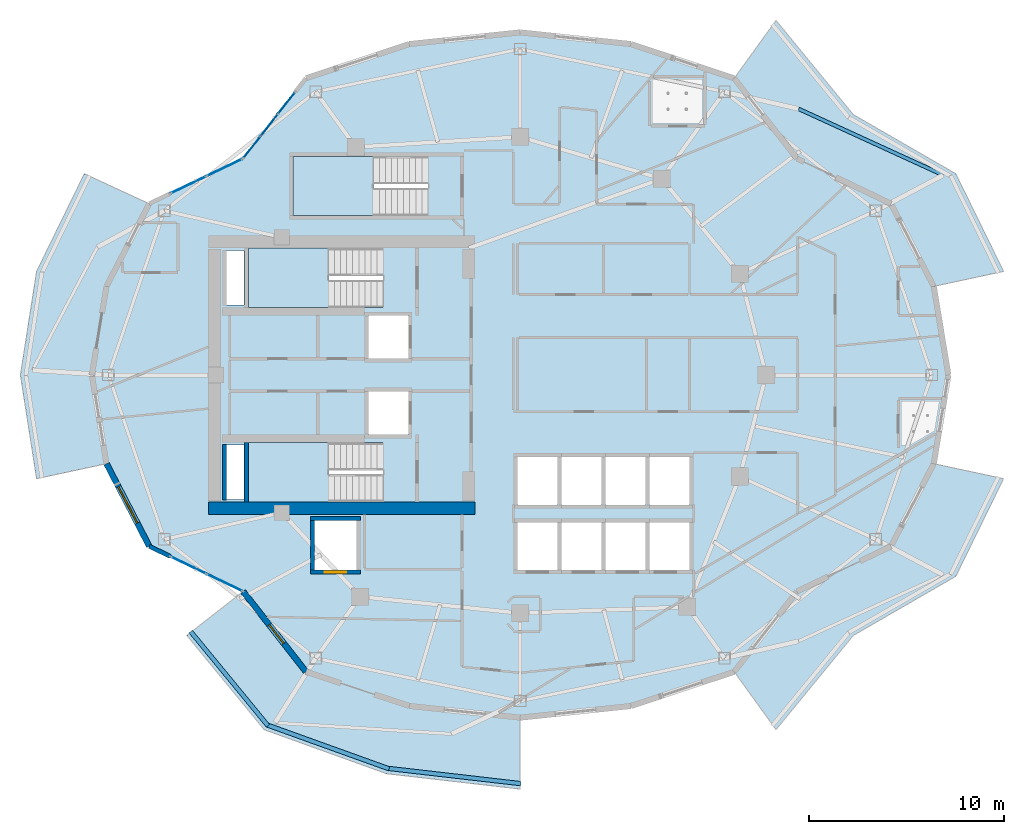
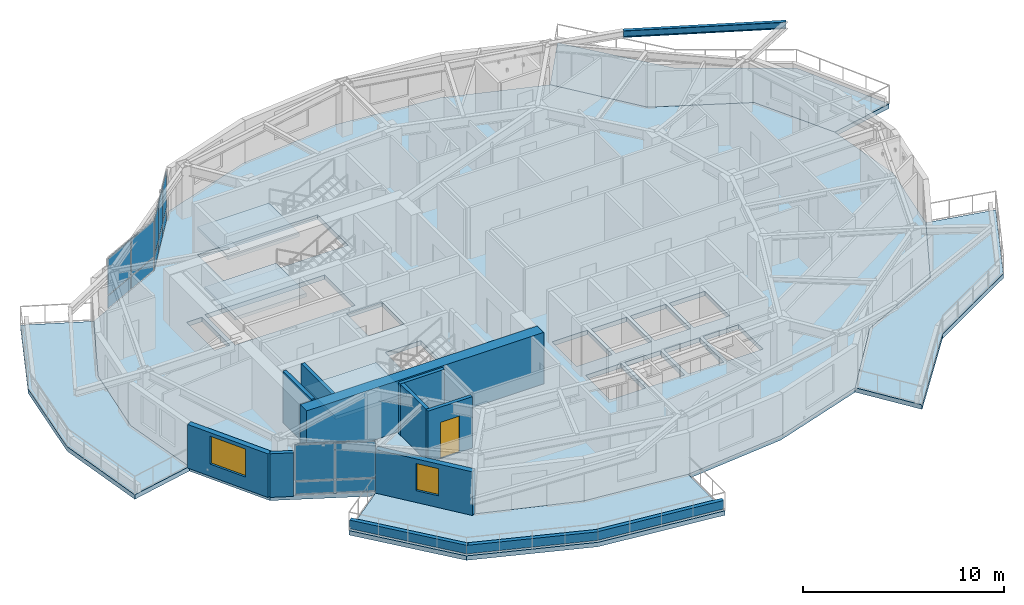
# One storey, part 6 of 16: 17 plates, 12 walls, 8 slabs, 2 windows, 1 beam, 1 door, 3 openings, 6 elements without a shape of their own.
"""IFC4 building model written with IfcOpenShell, lengths in metres."""

import ifcopenshell
import ifcopenshell.guid

model = None  # the IFC model being written
_history = None  # IfcOwnerHistory: only IFC2X3 demands one
_inside = {}  # id of a spatial element -> (the spatial element, [elements in it])
_under = {}  # id of a project, library or spatial element -> (it, [spatial elements below it])
_declared = {}  # id of a project -> (the project, [libraries it declares])
_typed = {}  # id of a type object -> (the type object, [elements of that type])
_made_of = {}  # id of a material, layer set ... -> (it, [elements and type objects made of it])


def new_model(schema):
    """Start an empty IFC model of exactly this schema.

    Asked for "IFC4X3", IfcOpenShell would pick the latest addendum, in which some entities
    have other attributes; the version numbers below select the first issue.
    IFC2X3 requires an IfcOwnerHistory on every rooted entity: one is made here for all.
    """
    global model, _history
    if schema == "IFC4X3":
        model = ifcopenshell.file(schema_version=(4, 3, 0, 0))
    else:
        model = ifcopenshell.file(schema=schema)
    _inside.clear()
    _under.clear()
    _declared.clear()
    _typed.clear()
    _made_of.clear()
    _history = None
    if model.schema == "IFC2X3":
        org = make("IfcOrganization", Name="unknown")
        user = make(
            "IfcPersonAndOrganization",
            ThePerson=make("IfcPerson", FamilyName="unknown"),
            TheOrganization=org,
        )
        app = make(
            "IfcApplication",
            ApplicationDeveloper=org,
            Version="unknown",
            ApplicationFullName="unknown",
            ApplicationIdentifier="unknown",
        )
        _history = make(
            "IfcOwnerHistory",
            OwningUser=user,
            OwningApplication=app,
            ChangeAction="ADDED",
            CreationDate=0,
        )
    return model


def make(cls, **values):
    """One entity of the class cls with the attributes given. An attribute that is None is left unset."""
    return model.create_entity(
        cls, **{name: value for name, value in values.items() if value is not None}
    )


def rooted(cls, **values):
    """An entity with a GlobalId (a new one), such as an element, a storey or a relation."""
    return make(cls, GlobalId=ifcopenshell.guid.new(), OwnerHistory=_history, **values)


def si_unit(unit_type, name, prefix=None):
    """IfcSIUnit, for example si_unit("LENGTHUNIT", "METRE", prefix="MILLI")."""
    return make("IfcSIUnit", UnitType=unit_type, Prefix=prefix, Name=name)


def assignment(units):
    """IfcUnitAssignment: the units of a project."""
    return None if units is None else make("IfcUnitAssignment", Units=units)


def point(xyz):
    """IfcCartesianPoint."""
    return None if xyz is None else make("IfcCartesianPoint", Coordinates=xyz)


def direction(xyz):
    """IfcDirection."""
    return None if xyz is None else make("IfcDirection", DirectionRatios=xyz)


def frame(location, z_axis=None, x_axis=None):
    """IfcAxis2Placement3D, a coordinate frame: its origin and axes. An axis left out is left unset."""
    return make(
        "IfcAxis2Placement3D",
        Location=point(location),
        Axis=direction(z_axis),
        RefDirection=direction(x_axis),
    )


def frame_2d(location, x_axis=None):
    """IfcAxis2Placement2D, a coordinate frame in the plane: its origin and x axis."""
    return make(
        "IfcAxis2Placement2D", Location=point(location), RefDirection=direction(x_axis)
    )


def origin():
    """The frame at (0, 0, 0) with its axes left unset."""
    return frame((0.0, 0.0, 0.0))


def origin_2d():
    """The frame at (0, 0) in the plane with its x axis left unset."""
    return frame_2d((0.0, 0.0))


def place(relative_to, where):
    """IfcLocalPlacement: puts the frame where relative to a parent placement (None: the world)."""
    return make(
        "IfcLocalPlacement", PlacementRelTo=relative_to, RelativePlacement=where
    )


def context(
    kind, dimensions, precision=None, world=None, true_north=None, identifier=None
):
    """IfcGeometricRepresentationContext, for example the 3D "Model" context."""
    return make(
        "IfcGeometricRepresentationContext",
        ContextIdentifier=identifier,
        ContextType=kind,
        CoordinateSpaceDimension=dimensions,
        Precision=precision,
        WorldCoordinateSystem=world,
        TrueNorth=true_north,
    )


def subcontext(parent, identifier, kind, view, scale=None):
    """IfcGeometricRepresentationSubContext, for example "Body" below "Model"."""
    return make(
        "IfcGeometricRepresentationSubContext",
        ContextIdentifier=identifier,
        ContextType=kind,
        ParentContext=parent,
        TargetScale=scale,
        TargetView=view,
    )


def project(units=None, contexts=None):
    """IfcProject with its units and contexts."""
    return rooted(
        "IfcProject",
        Name="project",
        RepresentationContexts=contexts,
        UnitsInContext=assignment(units),
    )


def spatial(cls, under=None, at=None, **own):
    """A site, building, storey or space (cls), placed at a placement, below another one or the project."""
    s = rooted(cls, ObjectPlacement=at, **own)
    if under is not None:
        _under.setdefault(under.id(), (under, []))[1].append(s)
    return s


def polyline(points):
    """IfcPolyline through the points."""
    return make("IfcPolyline", Points=[point(p) for p in points])


def profile(cls, at=None, kind="AREA", **sizes):
    """A parametric profile (cls). Its sizes go by their IFC names, for example OverallWidth=200.0."""
    return make(cls, ProfileType=kind, Position=at, **sizes)


def rectangle(**sizes):
    """IfcRectangleProfileDef."""
    return profile("IfcRectangleProfileDef", **sizes)


def i_section(**sizes):
    """IfcIShapeProfileDef."""
    return profile("IfcIShapeProfileDef", **sizes)


def outline(outer, holes=None, kind="AREA"):
    """IfcArbitraryClosedProfileDef: a profile drawn as a closed curve; with holes, ...WithVoids."""
    if holes is None:
        return make("IfcArbitraryClosedProfileDef", ProfileType=kind, OuterCurve=outer)
    return make(
        "IfcArbitraryProfileDefWithVoids",
        ProfileType=kind,
        OuterCurve=outer,
        InnerCurves=holes,
    )


def extrude(swept, where, along, depth):
    """IfcExtrudedAreaSolid: the profile swept, set in the frame where, extruded along a direction by depth."""
    return make(
        "IfcExtrudedAreaSolid",
        SweptArea=swept,
        Position=where,
        ExtrudedDirection=direction(along),
        Depth=depth,
    )


def shape(context_of_items, identifier, shape_type, items):
    """IfcShapeRepresentation: the items that make up one representation, for example the "Body"."""
    return make(
        "IfcShapeRepresentation",
        ContextOfItems=context_of_items,
        RepresentationIdentifier=identifier,
        RepresentationType=shape_type,
        Items=items,
    )


def material(Name=None, Category=None):
    """IfcMaterial."""
    return make("IfcMaterial", Name=Name, Category=Category)


def layer(
    of_material, thickness, ventilated=None, Name=None, Category=None, Priority=None
):
    """IfcMaterialLayer: one layer of a wall or slab, of a material (None: an air gap)."""
    return make(
        "IfcMaterialLayer",
        Material=of_material,
        LayerThickness=thickness,
        IsVentilated=ventilated,
        Name=Name,
        Category=Category,
        Priority=Priority,
    )


def layer_set(layers, Name=None):
    """IfcMaterialLayerSet."""
    return make("IfcMaterialLayerSet", MaterialLayers=layers, LayerSetName=Name)


def material_profile(
    of_material, cross_section, Name=None, Category=None, Priority=None
):
    """IfcMaterialProfile: a cross section and its material."""
    return make(
        "IfcMaterialProfile",
        Name=Name,
        Material=of_material,
        Profile=cross_section,
        Priority=Priority,
        Category=Category,
    )


def profile_set(profiles, Name=None, composite=None):
    """IfcMaterialProfileSet."""
    return make(
        "IfcMaterialProfileSet",
        Name=Name,
        MaterialProfiles=profiles,
        CompositeProfile=composite,
    )


def made_of(thing, what):
    """Note that an element or type object is made of a material, layer set ...; save() writes the relation."""
    if what is not None:
        _made_of.setdefault(what.id(), (what, []))[1].append(thing)
    return thing


def type_object(cls, material=None, **own):
    """A type object (cls), such as IfcWallType, which elements share."""
    return made_of(rooted(cls, **own), material)


def element(
    cls,
    number,
    at=None,
    inside=None,
    cuts=None,
    type_object=None,
    material=None,
    context=None,
    identifier="Body",
    shape_type=None,
    held_by="IfcProductDefinitionShape",
    body=None,
    shapes=None,
    **own,
):
    """One element of the class cls, such as IfcWall. Its Tag is "e" and its number.

    at: its placement. inside: the storey or other place that contains it. cuts: it is an
    opening in that element (IfcRelVoidsElement). A single representation is given by context,
    identifier, shape_type and body (its items); several are given by shapes. held_by: the class
    of the entity that holds the representations. save() writes the other relations.
    """
    e = rooted(cls, Tag="e%d" % number, ObjectPlacement=at, **own)
    if body is not None:
        shapes = [shape(context, identifier, shape_type, body)]
    if shapes is not None:
        e.Representation = make(held_by, Representations=shapes)
    if inside is not None:
        _inside.setdefault(inside.id(), (inside, []))[1].append(e)
    if cuts is not None:
        rooted(
            "IfcRelVoidsElement", RelatingBuildingElement=cuts, RelatedOpeningElement=e
        )
    if type_object is not None:
        _typed.setdefault(type_object.id(), (type_object, []))[1].append(e)
    return made_of(e, material)


def fill(opening, filler):
    """IfcRelFillsElement: the door or window that sits in an opening."""
    return rooted(
        "IfcRelFillsElement",
        RelatingOpeningElement=opening,
        RelatedBuildingElement=filler,
    )


def aggregate(whole, parts):
    """IfcRelAggregates: a whole, such as a stair, and the parts it consists of."""
    return rooted("IfcRelAggregates", RelatingObject=whole, RelatedObjects=parts)


def save(model, path):
    """Write the relations noted so far, then the file.

    IfcRelAggregates (storeys below a building ...), IfcRelContainedInSpatialStructure (elements
    in a storey), IfcRelDefinesByType, IfcRelAssociatesMaterial and IfcRelDeclares: one each for
    every whole, place, type object, material and project.
    """
    for whole, parts in _under.values():
        aggregate(whole, parts)
    for where, things in _inside.values():
        rooted(
            "IfcRelContainedInSpatialStructure",
            RelatedElements=things,
            RelatingStructure=where,
        )
    for kind, things in _typed.values():
        rooted("IfcRelDefinesByType", RelatedObjects=things, RelatingType=kind)
    for what, things in _made_of.values():
        rooted("IfcRelAssociatesMaterial", RelatedObjects=things, RelatingMaterial=what)
    for by, libraries in _declared.values():
        rooted("IfcRelDeclares", RelatingContext=by, RelatedDefinitions=libraries)
    model.write(path)


model = new_model("IFC4")

# Units and contexts
model_context = context("Model", 3, precision=1e-05, world=origin(), true_north=direction((0.0, 1.0)))
body_context = subcontext(model_context, "Body", "Model", "MODEL_VIEW")
ifc_project = project(units=[si_unit("LENGTHUNIT", "METRE"), si_unit("AREAUNIT", "SQUARE_METRE"), si_unit("VOLUMEUNIT", "CUBIC_METRE"), si_unit("PLANEANGLEUNIT", "RADIAN"), si_unit("MASSUNIT", "GRAM", prefix="KILO")], contexts=[model_context])

# Site, building, storey
site_placement = place(None, origin())
site = spatial("IfcSite", under=ifc_project, at=site_placement, CompositionType="ELEMENT")
building_placement = place(site_placement, origin())
building = spatial("IfcBuilding", under=site, at=building_placement, Name="Kolvaren Gate Tower and Convention Centre", CompositionType="ELEMENT")
storey_placement = place(building_placement, frame((0.0, 0.0, 149.5)))
storey = spatial("IfcBuildingStorey", under=building, at=storey_placement, Name="L38", CompositionType="ELEMENT", Elevation=149.5)

# Beam
ifc_material_1 = material(Name="Structural steel ASTM A992 Grade 345 MPa", Category="steel")
ifc_material_profile = material_profile(ifc_material_1, i_section(OverallWidth=0.180908203125, OverallDepth=0.4169921875, WebThickness=0.010986328125, FlangeThickness=0.018310546875, at=origin_2d()), Name="W410X85")
ifc_profile_set = profile_set([ifc_material_profile], Name="Structural steel ASTM A992 Grade 345 MPa")
beam_type = type_object("IfcBeamType", Name="STR-SP-W410X85", PredefinedType="SPANDREL", material=ifc_profile_set)
beam_placement = place(storey_placement, frame((51.800537109375, 37.239501953125, 2.922119140625), z_axis=(-0.909086110351, 0.416608262, 0.0), x_axis=(-0.416608262, -0.909086110351, 0.0)))
element("IfcBeam", 1, at=beam_placement, inside=storey, type_object=beam_type, Name="Tower L39 Planted Balcony Header Tie Beam BT-1", PredefinedType="SPANDREL", context=body_context, shape_type="SweptSolid", body=[
    extrude(i_section(OverallWidth=0.180908203125, OverallDepth=0.4169921875, WebThickness=0.010986328125, FlangeThickness=0.018310546875, at=origin_2d()), origin(), (0.0, 0.0, 1.0), 8.14453125),
])

# Plates
ifc_material_2 = material(Name="Perforated Anodized Bronze Aluminium Sheet 6 mm", Category="aluminium")
ifc_layer_1 = layer(ifc_material_2, 0.011962890625)
ifc_layer_set_1 = layer_set([ifc_layer_1], Name="Perforated Anodized Bronze Aluminium Sheet 6 mm")
plate_type_1 = type_object("IfcPlateType", Name="ARCH-PL-SCREEN-PERF", PredefinedType="SHEET", material=ifc_layer_set_1)
for number, where, z_axis, x_axis, name in (
    (2, (17.54638671875, 40.142333984375, 2.2900390625), (0.0, 0.0, 1.0), (0.616446487588, 0.787396804629, 0.0), "Tower L38 Perforated Bronze Solar Screen SS-08"),
    (3, (13.531494140625, 36.930419921875, 2.2900390625), (0.0, 0.0, 1.0), (0.901358389955, 0.433073957723, 0.0), "Tower L38 Perforated Bronze Solar Screen SS-09"),
    (4, (13.531494140625, 17.069580078125, 2.2900390625), (0.0, 0.0, 1.0), (0.901358389955, -0.433073957723, 0.0), "Tower L38 Perforated Bronze Solar Screen SS-14"),
):
    element("IfcPlate", number, at=place(storey_placement, frame(where, z_axis=z_axis, x_axis=x_axis)), inside=storey, type_object=plate_type_1, Name=name, PredefinedType="SHEET", context=body_context, shape_type="SweptSolid", body=[
        extrude(rectangle(XDim=2.60009765625, YDim=0.011962890625, at=origin_2d()), origin(), (0.0, 0.0, 1.0), 0.840087890625),
    ])

# Curtain wall, plates
ifc_material_3 = material(Name="Anodized Architectural Aluminium Alloy 6063-T6", Category="aluminium")
ifc_layer_2 = layer(ifc_material_3, 0.159912109375)
ifc_layer_set_2 = layer_set([ifc_layer_2], Name="Anodized Architectural Aluminium Alloy 6063-T6")
curtain_wall_type = type_object("IfcCurtainWallType", Name="CW-HTL-UNIT", PredefinedType="NOTDEFINED", material=ifc_layer_set_2)
curtain_wall_1_placement = place(storey_placement, origin())
curtain_wall_1 = element("IfcCurtainWall", 5, at=curtain_wall_1_placement, inside=storey, type_object=curtain_wall_type, Name="Tower L38 Unitised Curtain Wall CW-HTL-UNIT Bay 08", PredefinedType="NOTDEFINED")
ifc_material_4 = material(Name="Low-E Triple Insulated Glazing Unit 44 mm", Category="glass")
ifc_layer_3 = layer(ifc_material_4, 0.0439453125)
ifc_layer_set_3 = layer_set([ifc_layer_3], Name="Low-E Triple Insulated Glazing Unit 44 mm")
plate_type_2 = type_object("IfcPlateType", Name="CW-PL-IGU-44", PredefinedType="CURTAIN_PANEL", material=ifc_layer_set_3)
plate_1_placement = place(storey_placement, frame((16.39306640625, 38.669189453125, 0.88232421875), z_axis=(0.0, 0.0, 1.0), x_axis=(0.616449056034, 0.787394793807, 0.0)))
plate_1 = element("IfcPlate", 6, at=plate_1_placement, type_object=plate_type_2, Name="CW-03 panel 1.2", PredefinedType="CURTAIN_PANEL", context=body_context, shape_type="SweptSolid", body=[
    extrude(rectangle(XDim=1.3515625, YDim=0.0439453125, at=origin_2d()), origin(), (0.0, 0.0, 1.0), 2.1826171875),
])
plate_2_placement = place(storey_placement, frame((17.2763671875, 39.79736328125, 0.88232421875), z_axis=(0.0, 0.0, 1.0), x_axis=(0.616449056034, 0.787394793807, 0.0)))
plate_2 = element("IfcPlate", 7, at=plate_2_placement, type_object=plate_type_2, Name="CW-03 panel 2.2", PredefinedType="CURTAIN_PANEL", context=body_context, shape_type="SweptSolid", body=[
    extrude(rectangle(XDim=1.384033203125, YDim=0.0439453125, at=origin_2d()), origin(), (0.0, 0.0, 1.0), 2.1826171875),
])
plate_3_placement = place(storey_placement, frame((18.15966796875, 40.925537109375, 0.88232421875), z_axis=(0.0, 0.0, 1.0), x_axis=(0.616449056034, 0.787394793807, 0.0)))
plate_3 = element("IfcPlate", 8, at=plate_3_placement, type_object=plate_type_2, Name="CW-03 panel 3.2", PredefinedType="CURTAIN_PANEL", context=body_context, shape_type="SweptSolid", body=[
    extrude(rectangle(XDim=1.3515625, YDim=0.0439453125, at=origin_2d()), origin(), (0.0, 0.0, 1.0), 2.1826171875),
])

curtain_wall_2_placement = place(storey_placement, origin())
curtain_wall_2 = element("IfcCurtainWall", 9, at=curtain_wall_2_placement, inside=storey, type_object=curtain_wall_type, Name="Tower L38 Unitised Curtain Wall CW-HTL-UNIT Bay 09", PredefinedType="NOTDEFINED")
plate_4_placement = place(storey_placement, frame((13.14208984375, 36.743408203125, 0.88232421875), z_axis=(0.0, 0.0, 1.0), x_axis=(0.901362639973, 0.433065112035, 0.0)))
plate_4 = element("IfcPlate", 10, at=plate_4_placement, type_object=plate_type_2, Name="CW-03 panel 1.2", PredefinedType="CURTAIN_PANEL", context=body_context, shape_type="SweptSolid", body=[
    extrude(rectangle(XDim=1.980224609375, YDim=0.0439453125, at=origin_2d()), origin(), (0.0, 0.0, 1.0), 2.1826171875),
])
plate_5_placement = place(storey_placement, frame((14.985595703125, 37.629150390625, 0.88232421875), z_axis=(0.0, 0.0, 1.0), x_axis=(0.901362639973, 0.433065112035, 0.0)))
plate_5 = element("IfcPlate", 11, at=plate_5_placement, type_object=plate_type_2, Name="CW-03 panel 2.2", PredefinedType="CURTAIN_PANEL", context=body_context, shape_type="SweptSolid", body=[
    extrude(rectangle(XDim=1.980224609375, YDim=0.0439453125, at=origin_2d()), origin(), (0.0, 0.0, 1.0), 2.1826171875),
])

curtain_wall_3_placement = place(storey_placement, origin())
curtain_wall_3 = element("IfcCurtainWall", 12, at=curtain_wall_3_placement, inside=storey, type_object=curtain_wall_type, Name="Tower L38 Unitised Curtain Wall CW-HTL-UNIT Bay 14", PredefinedType="NOTDEFINED")
plate_6_placement = place(storey_placement, frame((13.14208984375, 17.256591796875, 0.88232421875), z_axis=(0.0, 0.0, 1.0), x_axis=(0.901362639973, -0.433065112035, 0.0)))
plate_6 = element("IfcPlate", 13, at=plate_6_placement, type_object=plate_type_2, Name="CW-03 panel 1.2", PredefinedType="CURTAIN_PANEL", context=body_context, shape_type="SweptSolid", body=[
    extrude(rectangle(XDim=1.980224609375, YDim=0.0439453125, at=origin_2d()), origin(), (0.0, 0.0, 1.0), 2.1826171875),
])
plate_7_placement = place(storey_placement, frame((14.985595703125, 16.370849609375, 0.88232421875), z_axis=(0.0, 0.0, 1.0), x_axis=(0.901362639973, -0.433065112035, 0.0)))
plate_7 = element("IfcPlate", 14, at=plate_7_placement, type_object=plate_type_2, Name="CW-03 panel 2.2", PredefinedType="CURTAIN_PANEL", context=body_context, shape_type="SweptSolid", body=[
    extrude(rectangle(XDim=1.980224609375, YDim=0.0439453125, at=origin_2d()), origin(), (0.0, 0.0, 1.0), 2.1826171875),
])

# Plate
ifc_material_5 = material(Name="Solar-Control Laminated Curtain Glazing 36 mm", Category="glass")
ifc_layer_4 = layer(ifc_material_5, 0.035888671875)
ifc_layer_set_4 = layer_set([ifc_layer_4], Name="Solar-Control Laminated Curtain Glazing 36 mm")
plate_type_3 = type_object("IfcPlateType", Name="CW-PL-SPAN-36", PredefinedType="CURTAIN_PANEL", material=ifc_layer_set_4)
plate_8_placement = place(storey_placement, frame((16.39306640625, 38.669189453125, 0.06494140625), z_axis=(0.0, 0.0, 1.0), x_axis=(0.616449056034, 0.787394793807, 0.0)))
plate_8 = element("IfcPlate", 15, at=plate_8_placement, type_object=plate_type_3, Name="CW-03 panel 1.1", PredefinedType="CURTAIN_PANEL", context=body_context, shape_type="SweptSolid", body=[
    extrude(rectangle(XDim=1.3515625, YDim=0.035888671875, at=origin_2d()), origin(), (0.0, 0.0, 1.0), 0.75244140625),
])

plate_9_placement = place(storey_placement, frame((17.2763671875, 39.79736328125, 0.06494140625), z_axis=(0.0, 0.0, 1.0), x_axis=(0.616449056034, 0.787394793807, 0.0)))
plate_9 = element("IfcPlate", 16, at=plate_9_placement, type_object=plate_type_3, Name="CW-03 panel 2.1", PredefinedType="CURTAIN_PANEL", context=body_context, shape_type="SweptSolid", body=[
    extrude(rectangle(XDim=1.384033203125, YDim=0.035888671875, at=origin_2d()), origin(), (0.0, 0.0, 1.0), 0.75244140625),
])

plate_10_placement = place(storey_placement, frame((18.15966796875, 40.925537109375, 0.06494140625), z_axis=(0.0, 0.0, 1.0), x_axis=(0.616449056034, 0.787394793807, 0.0)))
plate_10 = element("IfcPlate", 17, at=plate_10_placement, type_object=plate_type_3, Name="CW-03 panel 3.1", PredefinedType="CURTAIN_PANEL", context=body_context, shape_type="SweptSolid", body=[
    extrude(rectangle(XDim=1.3515625, YDim=0.035888671875, at=origin_2d()), origin(), (0.0, 0.0, 1.0), 0.75244140625),
])

aggregate(curtain_wall_1, [plate_8, plate_1, plate_9, plate_2, plate_10, plate_3])

plate_11_placement = place(storey_placement, frame((13.14208984375, 36.743408203125, 0.06494140625), z_axis=(0.0, 0.0, 1.0), x_axis=(0.901362639973, 0.433065112035, 0.0)))
plate_11 = element("IfcPlate", 18, at=plate_11_placement, type_object=plate_type_3, Name="CW-03 panel 1.1", PredefinedType="CURTAIN_PANEL", context=body_context, shape_type="SweptSolid", body=[
    extrude(rectangle(XDim=1.980224609375, YDim=0.035888671875, at=origin_2d()), origin(), (0.0, 0.0, 1.0), 0.75244140625),
])

plate_12_placement = place(storey_placement, frame((14.985595703125, 37.629150390625, 0.06494140625), z_axis=(0.0, 0.0, 1.0), x_axis=(0.901362639973, 0.433065112035, 0.0)))
plate_12 = element("IfcPlate", 19, at=plate_12_placement, type_object=plate_type_3, Name="CW-03 panel 2.1", PredefinedType="CURTAIN_PANEL", context=body_context, shape_type="SweptSolid", body=[
    extrude(rectangle(XDim=1.980224609375, YDim=0.035888671875, at=origin_2d()), origin(), (0.0, 0.0, 1.0), 0.75244140625),
])

aggregate(curtain_wall_2, [plate_11, plate_4, plate_12, plate_5])

plate_13_placement = place(storey_placement, frame((13.14208984375, 17.256591796875, 0.06494140625), z_axis=(0.0, 0.0, 1.0), x_axis=(0.901362639973, -0.433065112035, 0.0)))
plate_13 = element("IfcPlate", 20, at=plate_13_placement, type_object=plate_type_3, Name="CW-03 panel 1.1", PredefinedType="CURTAIN_PANEL", context=body_context, shape_type="SweptSolid", body=[
    extrude(rectangle(XDim=1.980224609375, YDim=0.035888671875, at=origin_2d()), origin(), (0.0, 0.0, 1.0), 0.75244140625),
])

plate_14_placement = place(storey_placement, frame((14.985595703125, 16.370849609375, 0.06494140625), z_axis=(0.0, 0.0, 1.0), x_axis=(0.901362639973, -0.433065112035, 0.0)))
plate_14 = element("IfcPlate", 21, at=plate_14_placement, type_object=plate_type_3, Name="CW-03 panel 2.1", PredefinedType="CURTAIN_PANEL", context=body_context, shape_type="SweptSolid", body=[
    extrude(rectangle(XDim=1.980224609375, YDim=0.035888671875, at=origin_2d()), origin(), (0.0, 0.0, 1.0), 0.75244140625),
])

aggregate(curtain_wall_3, [plate_13, plate_6, plate_14, plate_7])

# Slabs
ifc_material_6 = material(Name="Concrete C50/60", Category="concrete")
ifc_layer_5 = layer(ifc_material_6, 0.27001953125)
ifc_layer_set_5 = layer_set([ifc_layer_5], Name="Concrete C50/60")
slab_type_1 = type_object("IfcSlabType", Name="STR-SL-BALC-270", PredefinedType="FLOOR", material=ifc_layer_set_5)
slab_1_placement = place(storey_placement, frame((0.0, 0.0, -0.27001953125)))
element("IfcSlab", 22, at=slab_1_placement, inside=storey, type_object=slab_type_1, Name="Tower L38 Planted Balcony Terrace Slab 1 (East)", PredefinedType="FLOOR", context=body_context, shape_type="SweptSolid", body=[
    extrude(outline(polyline([(51.31494140625, 31.542236328125), (49.123291015625, 35.77490234375), (44.3134765625, 38.0859375), (41.09375, 42.19873046875), (43.235595703125, 45.16650390625), (47.197509765625, 40.33935546875), (52.446044921875, 37.309814453125), (54.893798828125, 32.309326171875), (51.31494140625, 31.542236328125)])), origin(), (0.0, 0.0, 1.0), 0.27001953125),
])
slab_2_placement = place(storey_placement, frame((0.0, 0.0, -0.27001953125)))
element("IfcSlab", 23, at=slab_2_placement, inside=storey, type_object=slab_type_1, Name="Tower L38 Planted Balcony Terrace Slab 2 (West)", PredefinedType="FLOOR", context=body_context, shape_type="SweptSolid", body=[
    extrude(outline(polyline([(11.126708984375, 35.77490234375), (8.93505859375, 31.542236328125), (8.1875, 27.0), (8.93505859375, 22.457763671875), (5.356201171875, 21.690673828125), (4.527587890625, 27.0), (5.356201171875, 32.309326171875), (7.803955078125, 37.309814453125), (11.126708984375, 35.77490234375)])), origin(), (0.0, 0.0, 1.0), 0.27001953125),
])
slab_3_placement = place(storey_placement, frame((0.0, 0.0, -0.27001953125)))
element("IfcSlab", 24, at=slab_3_placement, inside=storey, type_object=slab_type_1, Name="Tower L38 Planted Balcony Terrace Slab 3 (South)", PredefinedType="FLOOR", context=body_context, shape_type="SweptSolid", body=[
    extrude(outline(polyline([(15.9365234375, 15.9140625), (19.15625, 11.80126953125), (24.447265625, 10.048095703125), (30.125, 9.449951171875), (30.125, 5.7900390625), (23.284912109375, 6.577392578125), (17.014404296875, 8.83349609375), (13.052490234375, 13.66064453125), (15.9365234375, 15.9140625)])), origin(), (0.0, 0.0, 1.0), 0.27001953125),
])
slab_4_placement = place(storey_placement, frame((0.0, 0.0, -0.27001953125)))
element("IfcSlab", 25, at=slab_4_placement, inside=storey, type_object=slab_type_1, Name="Tower L38 Planted Balcony Terrace Slab 4 (East)", PredefinedType="FLOOR", context=body_context, shape_type="SweptSolid", body=[
    extrude(outline(polyline([(41.09375, 11.80126953125), (44.3134765625, 15.9140625), (49.123291015625, 18.22509765625), (51.31494140625, 22.457763671875), (54.893798828125, 21.690673828125), (52.446044921875, 16.690185546875), (47.197509765625, 13.66064453125), (43.235595703125, 8.83349609375), (41.09375, 11.80126953125)])), origin(), (0.0, 0.0, 1.0), 0.27001953125),
])
ifc_material_7 = material(Name="Concrete C40/50", Category="concrete")
ifc_layer_6 = layer(ifc_material_7, 0.27001953125)
ifc_layer_set_6 = layer_set([ifc_layer_6], Name="Concrete C40/50")
slab_type_2 = type_object("IfcSlabType", Name="STR-SL-FLR-270", PredefinedType="FLOOR", material=ifc_layer_set_6)
slab_5_placement = place(storey_placement, frame((0.0, 0.0, -0.27001953125)))
element("IfcSlab", 26, at=slab_5_placement, inside=storey, type_object=slab_type_2, Name="Tower L38 Structural Floor Slab", PredefinedType="FLOOR", context=body_context, shape_type="SweptSolid", body=[
    extrude(outline(polyline([(52.0625, 27.0), (51.31494140625, 31.542236328125), (49.123291015625, 35.77490234375), (44.3134765625, 38.0859375), (41.09375, 42.19873046875), (35.802734375, 43.951904296875), (30.125, 44.550048828125), (24.447265625, 43.951904296875), (19.15625, 42.19873046875), (15.9365234375, 38.0859375), (11.126708984375, 35.77490234375), (8.93505859375, 31.542236328125), (8.1875, 27.0), (8.93505859375, 22.457763671875), (11.126708984375, 18.22509765625), (15.9365234375, 15.9140625), (19.15625, 11.80126953125), (24.447265625, 10.048095703125), (30.125, 9.449951171875), (35.802734375, 10.048095703125), (41.09375, 11.80126953125), (44.3134765625, 15.9140625), (49.123291015625, 18.22509765625), (51.31494140625, 22.457763671875), (52.0625, 27.0)]), holes=[polyline([(36.75, 17.0), (36.75, 19.449951171875), (38.800048828125, 19.449951171875), (38.800048828125, 17.0), (36.75, 17.0)]), polyline([(36.75, 20.35009765625), (36.75, 22.800048828125), (38.800048828125, 22.800048828125), (38.800048828125, 20.35009765625), (36.75, 20.35009765625)]), polyline([(34.5, 17.0), (34.5, 19.449951171875), (36.550048828125, 19.449951171875), (36.550048828125, 17.0), (34.5, 17.0)]), polyline([(34.5, 20.35009765625), (34.5, 22.800048828125), (36.550048828125, 22.800048828125), (36.550048828125, 20.35009765625), (34.5, 20.35009765625)]), polyline([(32.25, 17.0), (32.25, 19.449951171875), (34.300048828125, 19.449951171875), (34.300048828125, 17.0), (32.25, 17.0)]), polyline([(32.25, 20.35009765625), (32.25, 22.800048828125), (34.300048828125, 22.800048828125), (34.300048828125, 20.35009765625), (32.25, 20.35009765625)]), polyline([(30.0, 17.0), (30.0, 19.449951171875), (32.050048828125, 19.449951171875), (32.050048828125, 17.0), (30.0, 17.0)]), polyline([(30.0, 20.35009765625), (30.0, 22.800048828125), (32.050048828125, 22.800048828125), (32.050048828125, 20.35009765625), (30.0, 20.35009765625)]), polyline([(25.39990234375, 38.199951171875), (25.39990234375, 35.159912109375), (18.5, 35.159912109375), (18.5, 38.199951171875), (25.39990234375, 38.199951171875)]), polyline([(22.35009765625, 23.9599609375), (22.35009765625, 26.159912109375), (24.39990234375, 26.159912109375), (24.39990234375, 23.9599609375), (22.35009765625, 23.9599609375)]), polyline([(22.35009765625, 27.840087890625), (22.35009765625, 30.0400390625), (24.39990234375, 30.0400390625), (24.39990234375, 27.840087890625), (22.35009765625, 27.840087890625)]), polyline([(23.10009765625, 23.5400390625), (23.10009765625, 20.5), (16.199951171875, 20.5), (16.199951171875, 23.5400390625), (23.10009765625, 23.5400390625)]), polyline([(23.10009765625, 33.5), (23.10009765625, 30.4599609375), (16.199951171875, 30.4599609375), (16.199951171875, 33.5), (23.10009765625, 33.5)]), polyline([(19.60009765625, 17.0), (19.60009765625, 19.550048828125), (21.75, 19.550048828125), (21.75, 17.0), (19.60009765625, 17.0)]), polyline([(15.080078125, 20.6298828125), (15.080078125, 23.419921875), (15.969970703125, 23.419921875), (15.969970703125, 20.6298828125), (15.080078125, 20.6298828125)]), polyline([(15.080078125, 30.580078125), (15.080078125, 33.3701171875), (15.969970703125, 33.3701171875), (15.969970703125, 30.580078125), (15.080078125, 30.580078125)])]), origin(), (0.0, 0.0, 1.0), 0.27001953125),
])

# Stair, slab
stair_type = type_object("IfcStairType", Name="STR-STAIR-CORE", PredefinedType="HALF_TURN_STAIR", material=ifc_material_6)
stair_1_placement = place(storey_placement, origin())
stair_1 = element("IfcStair", 27, at=stair_1_placement, inside=storey, type_object=stair_type, Name="L38 Tower North Exit Stair ST-T1", PredefinedType="HALF_TURN_STAIR")
ifc_layer_7 = layer(ifc_material_6, 0.199951171875)
ifc_layer_set_7 = layer_set([ifc_layer_7], Name="Concrete C50/60")
slab_type_3 = type_object("IfcSlabType", Name="STR-SL-LAND-200", PredefinedType="LANDING", material=ifc_layer_set_7)
slab_6_placement = place(storey_placement, frame((0.0, 0.0, 1.5)))
slab_6 = element("IfcSlab", 28, at=slab_6_placement, type_object=slab_type_3, Name="ST-T1 landing 1", PredefinedType="LANDING", context=body_context, shape_type="SweptSolid", body=[
    extrude(outline(polyline([(20.31005859375, 33.5), (16.199951171875, 33.5), (16.199951171875, 30.4599609375), (20.31005859375, 30.4599609375), (20.31005859375, 33.5)])), origin(), (0.0, 0.0, 1.0), 0.199951171875),
])
aggregate(stair_1, [slab_6])

stair_2_placement = place(storey_placement, origin())
stair_2 = element("IfcStair", 29, at=stair_2_placement, inside=storey, type_object=stair_type, Name="L38 Tower South Exit Stair ST-T2", PredefinedType="HALF_TURN_STAIR")
slab_7_placement = place(storey_placement, frame((0.0, 0.0, 1.5)))
slab_7 = element("IfcSlab", 30, at=slab_7_placement, type_object=slab_type_3, Name="ST-T2 landing 1", PredefinedType="LANDING", context=body_context, shape_type="SweptSolid", body=[
    extrude(outline(polyline([(20.31005859375, 23.5400390625), (16.199951171875, 23.5400390625), (16.199951171875, 20.5), (20.31005859375, 20.5), (20.31005859375, 23.5400390625)])), origin(), (0.0, 0.0, 1.0), 0.199951171875),
])
aggregate(stair_2, [slab_7])

stair_3_placement = place(storey_placement, origin())
stair_3 = element("IfcStair", 31, at=stair_3_placement, inside=storey, type_object=stair_type, Name="L38 Tower Mid-Zone Exit Stair ST-T3", PredefinedType="HALF_TURN_STAIR")
slab_8_placement = place(storey_placement, frame((0.0, 0.0, 1.5)))
slab_8 = element("IfcSlab", 32, at=slab_8_placement, type_object=slab_type_3, Name="ST-T3 landing 1", PredefinedType="LANDING", context=body_context, shape_type="SweptSolid", body=[
    extrude(outline(polyline([(22.610107421875, 38.199951171875), (18.5, 38.199951171875), (18.5, 35.159912109375), (22.610107421875, 35.159912109375), (22.610107421875, 38.199951171875)])), origin(), (0.0, 0.0, 1.0), 0.199951171875),
])
aggregate(stair_3, [slab_8])

# Walls
ifc_material_8 = material(Name="Bogota Sabana Bush-Hammered Sandstone Cladding", Category="masonry")
ifc_layer_8 = layer(ifc_material_8, 0.219970703125)
ifc_layer_set_8 = layer_set([ifc_layer_8], Name="Bogota Sabana Bush-Hammered Sandstone Cladding")
wall_type_1 = type_object("IfcWallType", Name="ARCH-WL-PIER-220", PredefinedType="SOLIDWALL", material=ifc_layer_set_8)
wall_1_placement = place(storey_placement, frame((11.126708984375, 18.22509765625, 0.0), z_axis=(0.0, 0.0, 1.0), x_axis=(0.901264843027, -0.433268603437, 0.0)))
element("IfcWall", 33, at=wall_1_placement, inside=storey, type_object=wall_type_1, Name="Tower L38 Unitised Curtain Wall CW-HTL-UNIT Bay 14 Left Column Pier Wrap", PredefinedType="SOLIDWALL", context=body_context, shape_type="SweptSolid", body=[
    extrude(rectangle(XDim=1.18115234375, YDim=0.219970703125, at=frame_2d((0.590576171875, 0.0))), origin(), (0.0, 0.0, 1.0), 2.653076171875),
])
ifc_material_9 = material(Name="Piedmont Cream Honed Limestone Cladding", Category="masonry")
ifc_layer_9 = layer(ifc_material_9, 0.219970703125)
ifc_layer_set_9 = layer_set([ifc_layer_9], Name="Piedmont Cream Honed Limestone Cladding")
wall_type_2 = type_object("IfcWallType", Name="ARCH-WL-PLANTER-220", PredefinedType="PARAPET", material=ifc_layer_set_9)
wall_2_placement = place(storey_placement, frame((13.24609375, 13.86279296875, 0.0), z_axis=(0.0, 0.0, 1.0), x_axis=(0.634429234628, -0.77298094818, 0.0)))
element("IfcWall", 34, at=wall_2_placement, inside=storey, type_object=wall_type_2, Name="Vertical-Forest Balcony Stone Planter Kerb PK-L38-3.1", PredefinedType="PARAPET", context=body_context, shape_type="SweptSolid", body=[
    extrude(rectangle(XDim=6.244873046875, YDim=0.219970703125, at=frame_2d((3.12255859375, 0.0))), origin(), (0.0, 0.0, 1.0), 0.52001953125),
])
wall_3_placement = place(storey_placement, frame((17.142822265625, 9.082275390625, 0.0), z_axis=(0.0, 0.0, 1.0), x_axis=(0.940948576924, -0.338549517184, 0.0)))
element("IfcWall", 35, at=wall_3_placement, inside=storey, type_object=wall_type_2, Name="Vertical-Forest Balcony Stone Planter Kerb PK-L38-3.2", PredefinedType="PARAPET", context=body_context, shape_type="SweptSolid", body=[
    extrude(rectangle(XDim=6.6640625, YDim=0.219970703125, at=frame_2d((3.33203125, 0.0))), origin(), (0.0, 0.0, 1.0), 0.52001953125),
])
wall_4_placement = place(storey_placement, frame((23.330078125, 6.853759765625, 0.0), z_axis=(0.0, 0.0, 1.0), x_axis=(0.993440576506, -0.114349555972, 0.0)))
element("IfcWall", 36, at=wall_4_placement, inside=storey, type_object=wall_type_2, Name="Vertical-Forest Balcony Stone Planter Kerb PK-L38-3.3", PredefinedType="PARAPET", context=body_context, shape_type="SweptSolid", body=[
    extrude(rectangle(XDim=6.885498046875, YDim=0.219970703125, at=frame_2d((3.44287109375, 0.0))), origin(), (0.0, 0.0, 1.0), 0.52001953125),
])
ifc_material_10 = material(Name="Autoclaved Aerated Masonry Blockwork Class 4 (4.0 MPa)", Category="masonry")
ifc_layer_10 = layer(ifc_material_10, 0.199951171875)
ifc_layer_set_10 = layer_set([ifc_layer_10], Name="Autoclaved Aerated Masonry Blockwork Class 4 (4.0 MPa)")
wall_type_3 = type_object("IfcWallType", Name="ARCH-WL-SHAFT-200", PredefinedType="SOLIDWALL", material=ifc_layer_set_10)
wall_5_placement = place(storey_placement, frame((19.39990234375, 19.64990234375, 0.0), z_axis=(0.0, 0.0, 1.0), x_axis=(1.0, 0.0, 0.0)))
element("IfcWall", 37, at=wall_5_placement, inside=storey, type_object=wall_type_3, Name="Elevator SV-01 L38 Fire Shaft Wall N", PredefinedType="SOLIDWALL", context=body_context, shape_type="SweptSolid", body=[
    extrude(rectangle(XDim=2.550048828125, YDim=0.199951171875, at=frame_2d((1.27490234375, 0.0))), origin(), (0.0, 0.0, 1.0), 3.1298828125),
])

# Wall, opening, door
wall_6_placement = place(storey_placement, frame((19.39990234375, 16.89990234375, 0.0), z_axis=(0.0, 0.0, 1.0), x_axis=(1.0, 0.0, 0.0)))
wall_6 = element("IfcWall", 38, at=wall_6_placement, inside=storey, type_object=wall_type_3, Name="Elevator SV-01 L38 Fire Shaft Wall S", PredefinedType="SOLIDWALL", context=body_context, shape_type="SweptSolid", body=[
    extrude(rectangle(XDim=2.550048828125, YDim=0.199951171875, at=frame_2d((1.27490234375, 0.0))), origin(), (0.0, 0.0, 1.0), 3.1298828125),
])
opening_1_placement = place(wall_6_placement, frame((0.72509765625, 0.0, 0.0)))
opening_1 = element("IfcOpeningElement", 39, at=opening_1_placement, cuts=wall_6, Name="Opening LD", PredefinedType="OPENING", context=body_context, shape_type="SweptSolid", body=[
    extrude(rectangle(XDim=1.10009765625, YDim=2.199951171875, at=frame_2d((0.550048828125, 1.10009765625))), frame((0.0, 0.10986328125, 0.0), z_axis=(0.0, -1.0, 0.0), x_axis=(1.0, 0.0, 0.0)), (0.0, 0.0, 1.0), 0.219970703125),
])
ifc_material_11 = material(Name="Brushed Stainless Steel Grade 316L", Category="steel")
door_type = type_object("IfcDoorType", Name="ARCH-DR-LIFT-1100", OperationType="SLIDING_TO_LEFT", PredefinedType="DOOR", material=ifc_material_11)
door_placement = place(opening_1_placement, origin())
door = element("IfcDoor", 40, at=door_placement, inside=storey, type_object=door_type, Name="Elevator SV-01 L38 Sliding Landing Door", OperationType="SLIDING_TO_LEFT", OverallHeight=2.199951171875, OverallWidth=1.10009765625, PredefinedType="DOOR", context=body_context, shape_type="SweptSolid", body=[
    extrude(rectangle(XDim=1.10009765625, YDim=2.199951171875, at=frame_2d((0.550048828125, 1.10009765625))), frame((0.0, 0.02490234375, 0.0), z_axis=(0.0, -1.0, 0.0), x_axis=(1.0, 0.0, 0.0)), (0.0, 0.0, 1.0), 0.050048828125),
])
fill(opening_1, door)

# Walls
wall_7_placement = place(storey_placement, frame((19.5, 17.010009765625, 0.0), z_axis=(0.0, 0.0, 1.0), x_axis=(0.0, 1.0, 0.0)))
element("IfcWall", 41, at=wall_7_placement, inside=storey, type_object=wall_type_3, Name="Elevator SV-01 L38 Fire Shaft Wall W", PredefinedType="SOLIDWALL", context=body_context, shape_type="SweptSolid", body=[
    extrude(rectangle(XDim=2.530029296875, YDim=0.199951171875, at=frame_2d((1.26513671875, 0.0))), origin(), (0.0, 0.0, 1.0), 3.1298828125),
])
wall_8_placement = place(storey_placement, frame((14.989990234375, 20.60009765625, 0.0), z_axis=(0.0, 0.0, 1.0), x_axis=(0.0, 1.0, 0.0)))
element("IfcWall", 42, at=wall_8_placement, inside=storey, type_object=wall_type_3, Name="Vertical Shaft MPR L38 EI-120 Enclosure Wall W", PredefinedType="SOLIDWALL", context=body_context, shape_type="SweptSolid", body=[
    extrude(rectangle(XDim=2.849853515625, YDim=0.199951171875, at=frame_2d((1.4248046875, 0.0))), origin(), (0.0, 0.0, 1.0), 3.1298828125),
])

# Wall, opening, window
ifc_layer_11 = layer(ifc_material_9, 0.300048828125)
ifc_layer_set_11 = layer_set([ifc_layer_11], Name="Piedmont Cream Honed Limestone Cladding")
wall_type_4 = type_object("IfcWallType", Name="ARCH-WL-STONE-300", PredefinedType="SOLIDWALL", material=ifc_layer_set_11)
wall_9_placement = place(storey_placement, frame((8.93505859375, 22.457763671875, 0.0), z_axis=(0.0, 0.0, 1.0), x_axis=(0.459810251451, -0.888017191647, 0.0)))
wall_9 = element("IfcWall", 43, at=wall_9_placement, inside=storey, type_object=wall_type_4, Name="Tower L38 Honed Stone Spandrel Wall EW-13", PredefinedType="SOLIDWALL", context=body_context, shape_type="SweptSolid", body=[
    extrude(rectangle(XDim=4.766357421875, YDim=0.300048828125, at=frame_2d((2.38330078125, 0.0))), origin(), (0.0, 0.0, 1.0), 2.653076171875),
])
opening_2_placement = place(wall_9_placement, frame((1.3330078125, 0.0, 0.739990234375)))
opening_2 = element("IfcOpeningElement", 44, at=opening_2_placement, cuts=wall_9, Name="Opening W-02", PredefinedType="OPENING", context=body_context, shape_type="SweptSolid", body=[
    extrude(rectangle(XDim=2.10009765625, YDim=1.699951171875, at=frame_2d((1.050048828125, 0.85009765625))), frame((0.0, 0.159912109375, 0.0), z_axis=(0.0, -1.0, 0.0), x_axis=(1.0, 0.0, 0.0)), (0.0, 0.0, 1.0), 0.320068359375),
])
window_type_1 = type_object("IfcWindowType", Name="ARCH-WN-HTL-2100", PartitioningType="SINGLE_PANEL", PredefinedType="WINDOW", material=ifc_material_4)
window_1_placement = place(opening_2_placement, origin())
window_1 = element("IfcWindow", 45, at=window_1_placement, inside=storey, type_object=window_type_1, Name="Tower L38 Punched Stone Facade Window W-13", OverallHeight=1.699951171875, OverallWidth=2.10009765625, PartitioningType="SINGLE_PANEL", PredefinedType="WINDOW", context=body_context, shape_type="SweptSolid", body=[
    extrude(rectangle(XDim=2.10009765625, YDim=1.699951171875, at=frame_2d((1.050048828125, 0.85009765625))), frame((0.0, 0.030029296875, 0.0), z_axis=(0.0, -1.0, 0.0), x_axis=(1.0, 0.0, 0.0)), (0.0, 0.0, 1.0), 0.06005859375),
])
fill(opening_2, window_1)

wall_10_placement = place(storey_placement, frame((15.9365234375, 15.9140625, 0.0), z_axis=(0.0, 0.0, 1.0), x_axis=(0.616429245738, -0.787410302828, 0.0)))
wall_10 = element("IfcWall", 46, at=wall_10_placement, inside=storey, type_object=wall_type_4, Name="Tower L38 Honed Stone Spandrel Wall EW-15", PredefinedType="SOLIDWALL", context=body_context, shape_type="SweptSolid", body=[
    extrude(rectangle(XDim=5.22314453125, YDim=0.300048828125, at=frame_2d((2.611572265625, 0.0))), origin(), (0.0, 0.0, 1.0), 2.653076171875),
])
opening_3_placement = place(wall_10_placement, frame((2.179931640625, 0.0, 0.719970703125)))
opening_3 = element("IfcOpeningElement", 47, at=opening_3_placement, cuts=wall_10, Name="Opening W-04", PredefinedType="OPENING", context=body_context, shape_type="SweptSolid", body=[
    extrude(rectangle(XDim=1.199951171875, YDim=1.64990234375, at=frame_2d((0.60009765625, 0.824951171875))), frame((0.0, 0.159912109375, 0.0), z_axis=(0.0, -1.0, 0.0), x_axis=(1.0, 0.0, 0.0)), (0.0, 0.0, 1.0), 0.320068359375),
])
window_type_2 = type_object("IfcWindowType", Name="ARCH-WN-NARROW-1200", PartitioningType="SINGLE_PANEL", PredefinedType="WINDOW", material=ifc_material_4)
window_2_placement = place(opening_3_placement, origin())
window_2 = element("IfcWindow", 48, at=window_2_placement, inside=storey, type_object=window_type_2, Name="Tower L38 Punched Stone Facade Window W-15", OverallHeight=1.64990234375, OverallWidth=1.199951171875, PartitioningType="SINGLE_PANEL", PredefinedType="WINDOW", context=body_context, shape_type="SweptSolid", body=[
    extrude(rectangle(XDim=1.199951171875, YDim=1.64990234375, at=frame_2d((0.60009765625, 0.824951171875))), frame((0.0, 0.030029296875, 0.0), z_axis=(0.0, -1.0, 0.0), x_axis=(1.0, 0.0, 0.0)), (0.0, 0.0, 1.0), 0.06005859375),
])
fill(opening_3, window_2)

# Walls
ifc_material_12 = material(Name="Concrete C60/75", Category="concrete")
ifc_layer_12 = layer(ifc_material_12, 0.64990234375)
ifc_layer_set_12 = layer_set([ifc_layer_12], Name="Concrete C60/75")
wall_type_5 = type_object("IfcWallType", Name="STR-WL-CORE-650", PredefinedType="SHEAR", material=ifc_layer_set_12)
wall_11_placement = place(storey_placement, frame((14.175048828125, 20.175048828125, -0.27001953125), z_axis=(0.0, 0.0, 1.0), x_axis=(1.0, 0.0, 0.0)))
element("IfcWall", 49, at=wall_11_placement, inside=storey, type_object=wall_type_5, Name="Tower L38 Offset Core Shear Wall S", PredefinedType="SHEAR", context=body_context, shape_type="SweptSolid", body=[
    extrude(rectangle(XDim=13.64990234375, YDim=0.64990234375, at=frame_2d((6.824951171875, 0.0))), origin(), (0.0, 0.0, 1.0), 3.39990234375),
])
ifc_layer_13 = layer(ifc_material_6, 0.199951171875)
ifc_layer_set_13 = layer_set([ifc_layer_13], Name="Concrete C50/60")
wall_type_6 = type_object("IfcWallType", Name="STR-WL-SHAFT-200", PredefinedType="SHEAR", material=ifc_layer_set_13)
wall_12_placement = place(storey_placement, frame((16.10009765625, 20.501953125, -0.27001953125), z_axis=(0.0, 0.0, 1.0), x_axis=(0.0, 1.0, 0.0)))
element("IfcWall", 50, at=wall_12_placement, inside=storey, type_object=wall_type_6, Name="Tower South Exit Stair ST-T2 L38 Structural Shear Enclosure Wall FAR", PredefinedType="SHEAR", context=body_context, shape_type="SweptSolid", body=[
    extrude(rectangle(XDim=3.0361328125, YDim=0.199951171875, at=frame_2d((1.51806640625, 0.0))), origin(), (0.0, 0.0, 1.0), 3.39990234375),
])

save(model, "model.ifc")
